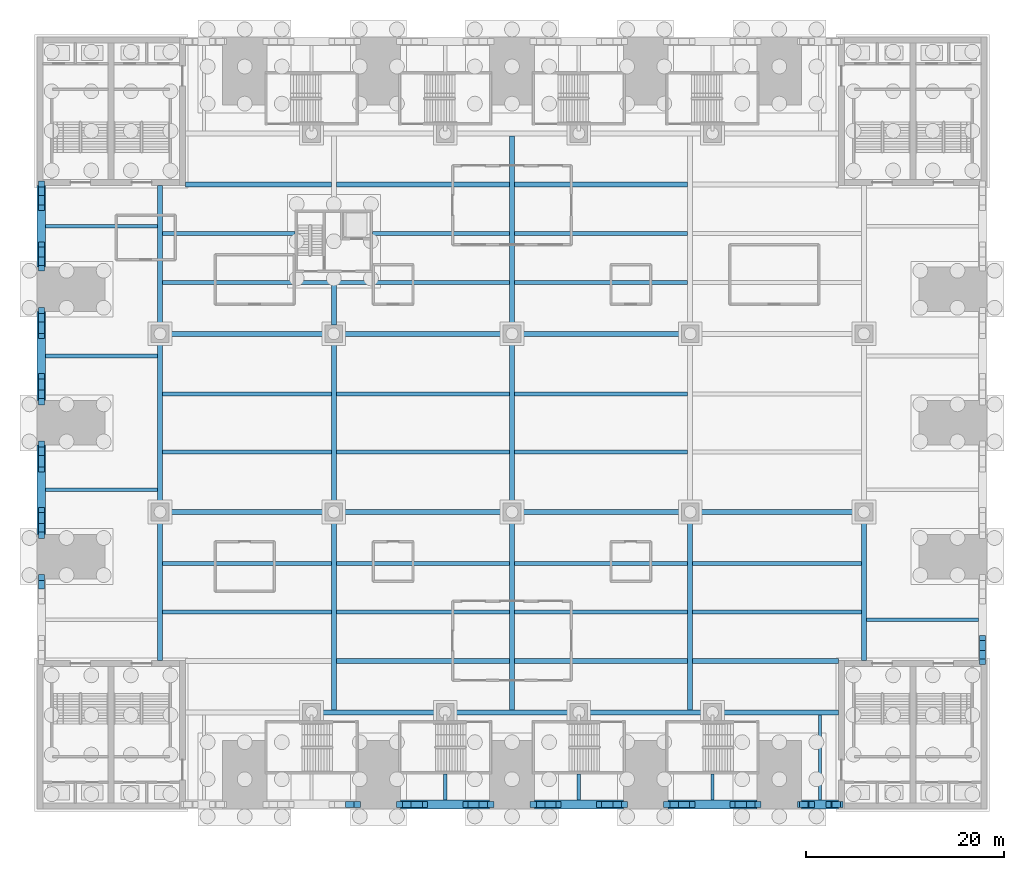
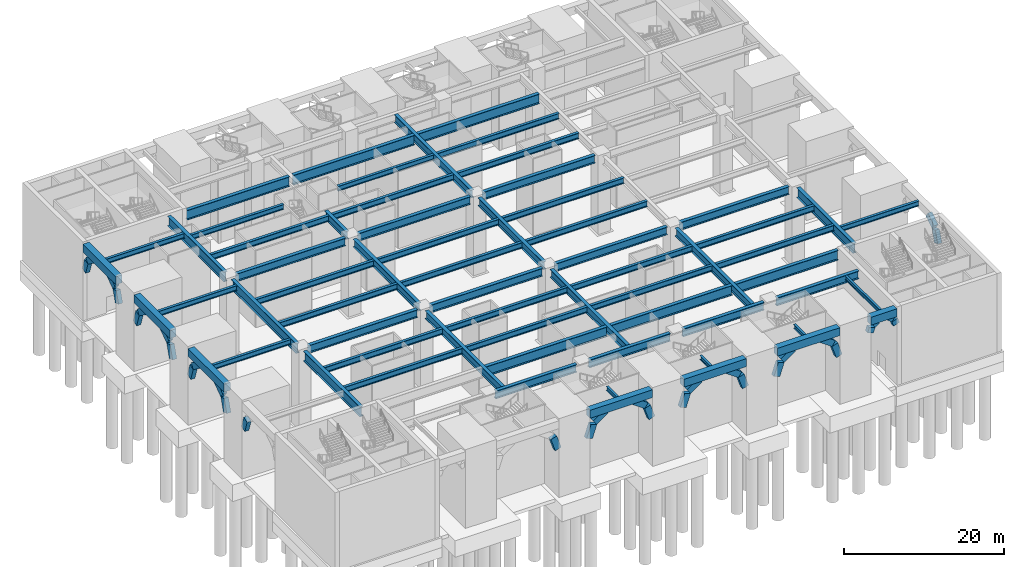
# One storey, part 3 of 34: 63 beams, 32 members.
"""IFC4 building model written with IfcOpenShell, lengths in metres."""

from ifc_helpers import new_model, si_unit, direction, frame, origin, origin_2d, place, context, subcontext, project, spatial, rectangle, i_section, extrude, material, material_profile, profile_set, type_object, element, save


model = new_model("IFC4")

# Units and contexts
model_context = context("Model", 3, precision=1e-05, world=origin(), true_north=direction((0.0, 1.0)))
body_context = subcontext(model_context, "Body", "Model", "MODEL_VIEW")
ifc_project = project(units=[si_unit("LENGTHUNIT", "METRE"), si_unit("AREAUNIT", "SQUARE_METRE"), si_unit("VOLUMEUNIT", "CUBIC_METRE"), si_unit("PLANEANGLEUNIT", "RADIAN"), si_unit("MASSUNIT", "GRAM", prefix="KILO")], contexts=[model_context])

# Site, building, storey
site_placement = place(None, origin())
site = spatial("IfcSite", under=ifc_project, at=site_placement, CompositionType="ELEMENT")
building_placement = place(site_placement, origin())
building = spatial("IfcBuilding", under=site, at=building_placement, Name="Corbelhall Arena Tower", CompositionType="ELEMENT")
storey_placement = place(building_placement, origin())
storey = spatial("IfcBuildingStorey", under=building, at=storey_placement, Name="L00", CompositionType="ELEMENT", Elevation=0.0)

# Beams
ifc_material_1 = material(Name="Steel ASTM A572 Gr50", Category="steel")
ifc_material_profile_1 = material_profile(ifc_material_1, i_section(OverallWidth=0.5, OverallDepth=1.5, WebThickness=0.028076171875, FlangeThickness=0.050048828125, at=origin_2d()))
ifc_profile_set_1 = profile_set([ifc_material_profile_1], Name="Steel ASTM A572 Gr50")
beam_type_1 = type_object("IfcBeamType", Name="AR-TRANSFER-GIRDER", PredefinedType="BEAM", material=ifc_profile_set_1)
beam_1_placement = place(storey_placement, frame((-35.550048828125, -24.0, 10.949951171875), z_axis=(0.0, 1.0, 0.0), x_axis=(-1.0, 0.0, 0.0)))
element("IfcBeam", 1, at=beam_1_placement, inside=storey, type_object=beam_type_1, Name="DECK GIRDER Y", PredefinedType="BEAM", context=body_context, shape_type="SweptSolid", body=[
    extrude(i_section(OverallWidth=0.5, OverallDepth=1.5, WebThickness=0.028076171875, FlangeThickness=0.050048828125, at=origin_2d()), origin(), (0.0, 0.0, 1.0), 14.10009765625),
])
beam_2_placement = place(storey_placement, frame((-35.550048828125, -8.10009765625, 10.949951171875), z_axis=(0.0, 1.0, 0.0), x_axis=(-1.0, 0.0, 0.0)))
element("IfcBeam", 2, at=beam_2_placement, inside=storey, type_object=beam_type_1, Name="DECK GIRDER Y", PredefinedType="BEAM", context=body_context, shape_type="SweptSolid", body=[
    extrude(i_section(OverallWidth=0.5, OverallDepth=1.5, WebThickness=0.028076171875, FlangeThickness=0.050048828125, at=origin_2d()), origin(), (0.0, 0.0, 1.0), 16.2001953125),
])
for number, where, z_axis, x_axis, name in (
    (3, (-35.550048828125, 9.89990234375, 10.949951171875), (0.0, 1.0, 0.0), (-1.0, 0.0, 0.0), "DECK GIRDER Y"),
    (4, (35.550048828125, -24.0, 10.949951171875), (0.0, 1.0, 0.0), (-1.0, 0.0, 0.0), "DECK GIRDER Y"),
):
    element("IfcBeam", number, at=place(storey_placement, frame(where, z_axis=z_axis, x_axis=x_axis)), inside=storey, type_object=beam_type_1, Name=name, PredefinedType="BEAM", context=body_context, shape_type="SweptSolid", body=[
        extrude(i_section(OverallWidth=0.5, OverallDepth=1.5, WebThickness=0.028076171875, FlangeThickness=0.050048828125, at=origin_2d()), origin(), (0.0, 0.0, 1.0), 14.10009765625),
    ])
for number, where, z_axis, x_axis, name in (
    (5, (-17.75, -24.0625, 10.949951171875), (1.0, 0.0, 0.0), (0.0, 1.0, 0.0), "DECK BEAM"),
    (6, (0.25, -24.0625, 10.949951171875), (1.0, 0.0, 0.0), (0.0, 1.0, 0.0), "DECK BEAM"),
):
    element("IfcBeam", number, at=place(storey_placement, frame(where, z_axis=z_axis, x_axis=x_axis)), inside=storey, type_object=beam_type_1, Name=name, PredefinedType="BEAM", context=body_context, shape_type="SweptSolid", body=[
        extrude(i_section(OverallWidth=0.5, OverallDepth=1.5, WebThickness=0.028076171875, FlangeThickness=0.050048828125, at=origin_2d()), origin(), (0.0, 0.0, 1.0), 17.5),
    ])
for number, where, z_axis, x_axis, name in (
    (7, (18.25, -24.0625, 10.949951171875), (1.0, 0.0, 0.0), (0.0, 1.0, 0.0), "DECK BEAM"),
    (8, (-33.0, 24.0625, 10.949951171875), (1.0, 0.0, 0.0), (0.0, 1.0, 0.0), "DECK BEAM"),
):
    element("IfcBeam", number, at=place(storey_placement, frame(where, z_axis=z_axis, x_axis=x_axis)), inside=storey, type_object=beam_type_1, Name=name, PredefinedType="BEAM", context=body_context, shape_type="SweptSolid", body=[
        extrude(i_section(OverallWidth=0.5, OverallDepth=1.5, WebThickness=0.028076171875, FlangeThickness=0.050048828125, at=origin_2d()), origin(), (0.0, 0.0, 1.0), 14.75),
    ])
for number, where, z_axis, x_axis, name in (
    (9, (-17.75, 24.0625, 10.949951171875), (1.0, 0.0, 0.0), (0.0, 1.0, 0.0), "DECK BEAM"),
    (10, (0.25, 24.0625, 10.949951171875), (1.0, 0.0, 0.0), (0.0, 1.0, 0.0), "DECK BEAM"),
):
    element("IfcBeam", number, at=place(storey_placement, frame(where, z_axis=z_axis, x_axis=x_axis)), inside=storey, type_object=beam_type_1, Name=name, PredefinedType="BEAM", context=body_context, shape_type="SweptSolid", body=[
        extrude(i_section(OverallWidth=0.5, OverallDepth=1.5, WebThickness=0.028076171875, FlangeThickness=0.050048828125, at=origin_2d()), origin(), (0.0, 0.0, 1.0), 17.5),
    ])

# Members
ifc_material_2 = material(Name="Concrete C80/95", Category="concrete")
ifc_material_profile_2 = material_profile(ifc_material_2, rectangle(XDim=0.60009765625, YDim=0.89990234375, at=origin_2d()))
ifc_profile_set_2 = profile_set([ifc_material_profile_2], Name="Concrete C80/95")
member_type = type_object("IfcMemberType", Name="PO-ARCH-RIB", PredefinedType="MEMBER", material=ifc_profile_set_2)
for number, where, z_axis, x_axis, name in (
    (11, (-16.386474609375, -38.550048828125, 9.23291015625), (0.313127236353, 0.0, -0.949711184442), (0.0, 1.0, 0.0), "ARCH S2 RIB B1"),
    (12, (-11.25, -38.550048828125, 7.302490234375), (0.313127236353, 0.0, 0.949711184442), (0.0, 1.0, 0.0), "ARCH S3 RIB A1"),
    (13, (-10.44580078125, -38.550048828125, 9.45947265625), (0.816644846193, 0.0, 0.577140533307), (0.0, 1.0, 0.0), "ARCH S3 RIB A2"),
    (14, (-2.886474609375, -38.550048828125, 9.23291015625), (0.313127236353, 0.0, -0.949711184442), (0.0, 1.0, 0.0), "ARCH S3 RIB B1"),
    (15, (-4.714111328125, -38.550048828125, 10.632568359375), (0.816644846193, 0.0, -0.577140533307), (0.0, 1.0, 0.0), "ARCH S3 RIB B2"),
    (16, (2.25, -38.550048828125, 7.302490234375), (0.313127236353, 0.0, 0.949711184442), (0.0, 1.0, 0.0), "ARCH S4 RIB A1"),
    (17, (3.05419921875, -38.550048828125, 9.45947265625), (0.816644846193, 0.0, 0.577140533307), (0.0, 1.0, 0.0), "ARCH S4 RIB A2"),
    (18, (10.613525390625, -38.550048828125, 9.23291015625), (0.313127236353, 0.0, -0.949711184442), (0.0, 1.0, 0.0), "ARCH S4 RIB B1"),
    (19, (8.785888671875, -38.550048828125, 10.632568359375), (0.816644846193, 0.0, -0.577140533307), (0.0, 1.0, 0.0), "ARCH S4 RIB B2"),
    (20, (15.75, -38.550048828125, 7.302490234375), (0.313127236353, 0.0, 0.949711184442), (0.0, 1.0, 0.0), "ARCH S5 RIB A1"),
    (21, (16.55419921875, -38.550048828125, 9.45947265625), (0.816644846193, 0.0, 0.577140533307), (0.0, 1.0, 0.0), "ARCH S5 RIB A2"),
    (22, (24.113525390625, -38.550048828125, 9.23291015625), (0.313127236353, 0.0, -0.949711184442), (0.0, 1.0, 0.0), "ARCH S5 RIB B1"),
    (23, (22.285888671875, -38.550048828125, 10.632568359375), (0.816644846193, 0.0, -0.577140533307), (0.0, 1.0, 0.0), "ARCH S5 RIB B2"),
):
    element("IfcMember", number, at=place(storey_placement, frame(where, z_axis=z_axis, x_axis=x_axis)), inside=storey, type_object=member_type, Name=name, PredefinedType="MEMBER", context=body_context, shape_type="SweptSolid", body=[
        extrude(rectangle(XDim=0.60009765625, YDim=0.89990234375, at=origin_2d()), origin(), (0.0, 0.0, 1.0), 2.03271484375),
    ])
member_1_placement = place(storey_placement, frame((29.25, -38.550048828125, 9.2451171875), z_axis=(0.313142843289, 0.0, 0.94970603857), x_axis=(0.0, 1.0, 0.0)))
element("IfcMember", 24, at=member_1_placement, inside=storey, type_object=member_type, Name="ARCH S6 RIB A1", PredefinedType="MEMBER", context=body_context, shape_type="SweptSolid", body=[
    extrude(rectangle(XDim=0.60009765625, YDim=0.89990234375, at=origin_2d()), origin(), (0.0, 0.0, 1.0), 0.76025390625),
])
member_2_placement = place(storey_placement, frame((29.65576171875, -38.550048828125, 10.193603515625), z_axis=(0.816629669741, 0.0, 0.577162007152), x_axis=(0.0, 1.0, 0.0)))
element("IfcMember", 25, at=member_2_placement, inside=storey, type_object=member_type, Name="ARCH S6 RIB A2", PredefinedType="MEMBER", context=body_context, shape_type="SweptSolid", body=[
    extrude(rectangle(XDim=0.60009765625, YDim=0.89990234375, at=origin_2d()), origin(), (0.0, 0.0, 1.0), 0.760498046875),
])
member_3_placement = place(storey_placement, frame((32.761962890625, -38.550048828125, 9.967041015625), z_axis=(0.313142843289, 0.0, -0.94970603857), x_axis=(0.0, 1.0, 0.0)))
element("IfcMember", 26, at=member_3_placement, inside=storey, type_object=member_type, Name="ARCH S6 RIB B1", PredefinedType="MEMBER", context=body_context, shape_type="SweptSolid", body=[
    extrude(rectangle(XDim=0.60009765625, YDim=0.89990234375, at=origin_2d()), origin(), (0.0, 0.0, 1.0), 0.76025390625),
])
member_4_placement = place(storey_placement, frame((31.97314453125, -38.550048828125, 10.632568359375), z_axis=(0.816629669741, 0.0, -0.577162007152), x_axis=(0.0, 1.0, 0.0)))
element("IfcMember", 27, at=member_4_placement, inside=storey, type_object=member_type, Name="ARCH S6 RIB B2", PredefinedType="MEMBER", context=body_context, shape_type="SweptSolid", body=[
    extrude(rectangle(XDim=0.60009765625, YDim=0.89990234375, at=origin_2d()), origin(), (0.0, 0.0, 1.0), 0.760498046875),
])
member_5_placement = place(storey_placement, frame((47.550048828125, -24.0, 7.580078125), z_axis=(0.0, 0.313178775789, 0.949694189935), x_axis=(-1.0, 0.0, 0.0)))
element("IfcMember", 28, at=member_5_placement, inside=storey, type_object=member_type, Name="ARCH E1 RIB A1", PredefinedType="MEMBER", context=body_context, shape_type="SweptSolid", body=[
    extrude(rectangle(XDim=0.60009765625, YDim=0.89990234375, at=origin_2d()), origin(), (0.0, 0.0, 1.0), 1.8505859375),
])
member_6_placement = place(storey_placement, frame((47.550048828125, -23.252685546875, 9.564453125), z_axis=(0.0, 0.81666432318, 0.577112972688), x_axis=(-1.0, 0.0, 0.0)))
element("IfcMember", 29, at=member_6_placement, inside=storey, type_object=member_type, Name="ARCH E1 RIB A2", PredefinedType="MEMBER", context=body_context, shape_type="SweptSolid", body=[
    extrude(rectangle(XDim=0.60009765625, YDim=0.89990234375, at=origin_2d()), origin(), (0.0, 0.0, 1.0), 1.850830078125),
])
member_7_placement = place(storey_placement, frame((-47.550048828125, -16.32958984375, 9.337646484375), z_axis=(0.0, 0.313178775789, -0.949694189935), x_axis=(-1.0, 0.0, 0.0)))
element("IfcMember", 30, at=member_7_placement, inside=storey, type_object=member_type, Name="ARCH W1 RIB B1", PredefinedType="MEMBER", context=body_context, shape_type="SweptSolid", body=[
    extrude(rectangle(XDim=0.60009765625, YDim=0.89990234375, at=origin_2d()), origin(), (0.0, 0.0, 1.0), 1.8505859375),
])
for number, where, z_axis, x_axis, name in (
    (31, (-47.550048828125, -11.25, 7.302490234375), (0.0, 0.313127236353, 0.949711184442), (-1.0, 0.0, 0.0), "ARCH W2 RIB A1"),
    (32, (-47.550048828125, -10.44580078125, 9.45947265625), (0.0, 0.816644846193, 0.577140533307), (-1.0, 0.0, 0.0), "ARCH W2 RIB A2"),
    (33, (-47.550048828125, -2.886474609375, 9.23291015625), (0.0, 0.313127236353, -0.949711184442), (-1.0, 0.0, 0.0), "ARCH W2 RIB B1"),
    (34, (-47.550048828125, -4.714111328125, 10.632568359375), (0.0, 0.816644846193, -0.577140533307), (-1.0, 0.0, 0.0), "ARCH W2 RIB B2"),
    (35, (-47.550048828125, 2.25, 7.302490234375), (0.0, 0.313127236353, 0.949711184442), (-1.0, 0.0, 0.0), "ARCH W3 RIB A1"),
    (36, (-47.550048828125, 3.05419921875, 9.45947265625), (0.0, 0.816644846193, 0.577140533307), (-1.0, 0.0, 0.0), "ARCH W3 RIB A2"),
    (37, (-47.550048828125, 10.613525390625, 9.23291015625), (0.0, 0.313127236353, -0.949711184442), (-1.0, 0.0, 0.0), "ARCH W3 RIB B1"),
    (38, (-47.550048828125, 8.785888671875, 10.632568359375), (0.0, 0.816644846193, -0.577140533307), (-1.0, 0.0, 0.0), "ARCH W3 RIB B2"),
):
    element("IfcMember", number, at=place(storey_placement, frame(where, z_axis=z_axis, x_axis=x_axis)), inside=storey, type_object=member_type, Name=name, PredefinedType="MEMBER", context=body_context, shape_type="SweptSolid", body=[
        extrude(rectangle(XDim=0.60009765625, YDim=0.89990234375, at=origin_2d()), origin(), (0.0, 0.0, 1.0), 2.03271484375),
    ])
member_8_placement = place(storey_placement, frame((-47.550048828125, 15.75, 7.580078125), z_axis=(0.0, 0.313178775789, 0.949694189935), x_axis=(-1.0, 0.0, 0.0)))
element("IfcMember", 39, at=member_8_placement, inside=storey, type_object=member_type, Name="ARCH W4 RIB A1", PredefinedType="MEMBER", context=body_context, shape_type="SweptSolid", body=[
    extrude(rectangle(XDim=0.60009765625, YDim=0.89990234375, at=origin_2d()), origin(), (0.0, 0.0, 1.0), 1.8505859375),
])
member_9_placement = place(storey_placement, frame((-47.550048828125, 16.497314453125, 9.564453125), z_axis=(0.0, 0.81666432318, 0.577112972688), x_axis=(-1.0, 0.0, 0.0)))
element("IfcMember", 40, at=member_9_placement, inside=storey, type_object=member_type, Name="ARCH W4 RIB A2", PredefinedType="MEMBER", context=body_context, shape_type="SweptSolid", body=[
    extrude(rectangle(XDim=0.60009765625, YDim=0.89990234375, at=origin_2d()), origin(), (0.0, 0.0, 1.0), 1.850830078125),
])
member_10_placement = place(storey_placement, frame((-47.550048828125, 23.42041015625, 9.337646484375), z_axis=(0.0, 0.313178775789, -0.949694189935), x_axis=(-1.0, 0.0, 0.0)))
element("IfcMember", 41, at=member_10_placement, inside=storey, type_object=member_type, Name="ARCH W4 RIB B1", PredefinedType="MEMBER", context=body_context, shape_type="SweptSolid", body=[
    extrude(rectangle(XDim=0.60009765625, YDim=0.89990234375, at=origin_2d()), origin(), (0.0, 0.0, 1.0), 1.8505859375),
])
member_11_placement = place(storey_placement, frame((-47.550048828125, 21.7412109375, 10.632568359375), z_axis=(0.0, 0.81666432318, -0.577112972688), x_axis=(-1.0, 0.0, 0.0)))
element("IfcMember", 42, at=member_11_placement, inside=storey, type_object=member_type, Name="ARCH W4 RIB B2", PredefinedType="MEMBER", context=body_context, shape_type="SweptSolid", body=[
    extrude(rectangle(XDim=0.60009765625, YDim=0.89990234375, at=origin_2d()), origin(), (0.0, 0.0, 1.0), 1.850830078125),
])

# Beams
ifc_material_3 = material(Name="Steel ASTM A992 Gr50", Category="steel")
ifc_material_profile_3 = material_profile(ifc_material_3, i_section(OverallWidth=0.323974609375, OverallDepth=0.611083984375, WebThickness=0.0126953125, FlangeThickness=0.01904296875, at=origin_2d()))
ifc_profile_set_3 = profile_set([ifc_material_profile_3], Name="Steel ASTM A992 Gr50")
beam_type_2 = type_object("IfcBeamType", Name="PO-BEAM-W24X104", PredefinedType="BEAM", material=ifc_profile_set_3)
for number, where, z_axis, x_axis, name in (
    (43, (-6.75, -35.449951171875, 11.39453125), (0.0, -1.0, 0.0), (1.0, 0.0, 0.0), "DECK EDGE BEAM"),
    (44, (6.75, -35.449951171875, 11.39453125), (0.0, -1.0, 0.0), (1.0, 0.0, 0.0), "DECK EDGE BEAM"),
    (45, (20.25, -35.449951171875, 11.39453125), (0.0, -1.0, 0.0), (1.0, 0.0, 0.0), "DECK EDGE BEAM"),
):
    element("IfcBeam", number, at=place(storey_placement, frame(where, z_axis=z_axis, x_axis=x_axis)), inside=storey, type_object=beam_type_2, Name=name, PredefinedType="BEAM", context=body_context, shape_type="SweptSolid", body=[
        extrude(i_section(OverallWidth=0.323974609375, OverallDepth=0.611083984375, WebThickness=0.0126953125, FlangeThickness=0.01904296875, at=origin_2d()), origin(), (0.0, 0.0, 1.0), 2.650146484375),
    ])
beam_3_placement = place(storey_placement, frame((31.125, -29.5, 11.39453125), z_axis=(0.0, -1.0, 0.0), x_axis=(1.0, 0.0, 0.0)))
element("IfcBeam", 46, at=beam_3_placement, inside=storey, type_object=beam_type_2, Name="DECK EDGE BEAM", PredefinedType="BEAM", context=body_context, shape_type="SweptSolid", body=[
    extrude(i_section(OverallWidth=0.323974609375, OverallDepth=0.611083984375, WebThickness=0.0126953125, FlangeThickness=0.01904296875, at=origin_2d()), origin(), (0.0, 0.0, 1.0), 8.60009765625),
])
ifc_material_profile_4 = material_profile(ifc_material_3, i_section(OverallWidth=0.381103515625, OverallDepth=0.77294921875, WebThickness=0.0166015625, FlangeThickness=0.027099609375, at=origin_2d()))
ifc_profile_set_4 = profile_set([ifc_material_profile_4], Name="Steel ASTM A992 Gr50")
beam_type_3 = type_object("IfcBeamType", Name="PO-BEAM-W30X173", PredefinedType="BEAM", material=ifc_profile_set_4)
beam_4_placement = place(storey_placement, frame((-35.300048828125, 19.125, 11.3134765625), z_axis=(1.0, 0.0, 0.0), x_axis=(0.0, 1.0, 0.0)))
element("IfcBeam", 47, at=beam_4_placement, inside=storey, type_object=beam_type_3, Name="DECK BEAM", PredefinedType="BEAM", context=body_context, shape_type="SweptSolid", body=[
    extrude(i_section(OverallWidth=0.381103515625, OverallDepth=0.77294921875, WebThickness=0.0166015625, FlangeThickness=0.027099609375, at=origin_2d()), origin(), (0.0, 0.0, 1.0), 13.400146484375),
])
beam_5_placement = place(storey_placement, frame((-14.10009765625, 19.125, 11.3134765625), z_axis=(1.0, 0.0, 0.0), x_axis=(0.0, 1.0, 0.0)))
element("IfcBeam", 48, at=beam_5_placement, inside=storey, type_object=beam_type_3, Name="DECK BEAM", PredefinedType="BEAM", context=body_context, shape_type="SweptSolid", body=[
    extrude(i_section(OverallWidth=0.381103515625, OverallDepth=0.77294921875, WebThickness=0.0166015625, FlangeThickness=0.027099609375, at=origin_2d()), origin(), (0.0, 0.0, 1.0), 13.85009765625),
])
for number, where, z_axis, x_axis, name in (
    (49, (35.800048828125, -19.875, 11.3134765625), (1.0, 0.0, 0.0), (0.0, 1.0, 0.0), "DECK EDGE BEAM"),
    (50, (-35.800048828125, -6.75, 11.3134765625), (-1.0, 0.0, 0.0), (0.0, -1.0, 0.0), "DECK EDGE BEAM"),
    (51, (-35.800048828125, 6.75, 11.3134765625), (-1.0, 0.0, 0.0), (0.0, -1.0, 0.0), "DECK EDGE BEAM"),
    (52, (-35.800048828125, 19.875, 11.3134765625), (-1.0, 0.0, 0.0), (0.0, -1.0, 0.0), "DECK EDGE BEAM"),
):
    element("IfcBeam", number, at=place(storey_placement, frame(where, z_axis=z_axis, x_axis=x_axis)), inside=storey, type_object=beam_type_3, Name=name, PredefinedType="BEAM", context=body_context, shape_type="SweptSolid", body=[
        extrude(i_section(OverallWidth=0.381103515625, OverallDepth=0.77294921875, WebThickness=0.0166015625, FlangeThickness=0.027099609375, at=origin_2d()), origin(), (0.0, 0.0, 1.0), 11.300048828125),
    ])
ifc_material_profile_5 = material_profile(ifc_material_3, i_section(OverallWidth=0.40087890625, OverallDepth=0.876953125, WebThickness=0.022216796875, FlangeThickness=0.039794921875, at=origin_2d()))
ifc_profile_set_5 = profile_set([ifc_material_profile_5], Name="Steel ASTM A992 Gr50")
beam_type_4 = type_object("IfcBeamType", Name="PO-BEAM-W33X263", PredefinedType="BEAM", material=ifc_profile_set_5)
beam_6_placement = place(storey_placement, frame((-35.300048828125, -19.125, 11.261474609375), z_axis=(1.0, 0.0, 0.0), x_axis=(0.0, 1.0, 0.0)))
element("IfcBeam", 53, at=beam_6_placement, inside=storey, type_object=beam_type_4, Name="DECK BEAM", PredefinedType="BEAM", context=body_context, shape_type="SweptSolid", body=[
    extrude(i_section(OverallWidth=0.40087890625, OverallDepth=0.876953125, WebThickness=0.022216796875, FlangeThickness=0.039794921875, at=origin_2d()), origin(), (0.0, 0.0, 1.0), 17.050048828125),
])
for number, where, z_axis, x_axis, name in (
    (54, (-17.75, -19.125, 11.261474609375), (1.0, 0.0, 0.0), (0.0, 1.0, 0.0), "DECK BEAM"),
    (55, (0.25, -19.125, 11.261474609375), (1.0, 0.0, 0.0), (0.0, 1.0, 0.0), "DECK BEAM"),
):
    element("IfcBeam", number, at=place(storey_placement, frame(where, z_axis=z_axis, x_axis=x_axis)), inside=storey, type_object=beam_type_4, Name=name, PredefinedType="BEAM", context=body_context, shape_type="SweptSolid", body=[
        extrude(i_section(OverallWidth=0.40087890625, OverallDepth=0.876953125, WebThickness=0.022216796875, FlangeThickness=0.039794921875, at=origin_2d()), origin(), (0.0, 0.0, 1.0), 17.5),
    ])
for number, where, z_axis, x_axis, name in (
    (56, (18.25, -19.125, 11.261474609375), (1.0, 0.0, 0.0), (0.0, 1.0, 0.0), "DECK BEAM"),
    (57, (-35.300048828125, -14.1875, 11.261474609375), (1.0, 0.0, 0.0), (0.0, 1.0, 0.0), "DECK BEAM"),
):
    element("IfcBeam", number, at=place(storey_placement, frame(where, z_axis=z_axis, x_axis=x_axis)), inside=storey, type_object=beam_type_4, Name=name, PredefinedType="BEAM", context=body_context, shape_type="SweptSolid", body=[
        extrude(i_section(OverallWidth=0.40087890625, OverallDepth=0.876953125, WebThickness=0.022216796875, FlangeThickness=0.039794921875, at=origin_2d()), origin(), (0.0, 0.0, 1.0), 17.050048828125),
    ])
for number, where, z_axis, x_axis, name in (
    (58, (-17.75, -14.1875, 11.261474609375), (1.0, 0.0, 0.0), (0.0, 1.0, 0.0), "DECK BEAM"),
    (59, (0.25, -14.1875, 11.261474609375), (1.0, 0.0, 0.0), (0.0, 1.0, 0.0), "DECK BEAM"),
):
    element("IfcBeam", number, at=place(storey_placement, frame(where, z_axis=z_axis, x_axis=x_axis)), inside=storey, type_object=beam_type_4, Name=name, PredefinedType="BEAM", context=body_context, shape_type="SweptSolid", body=[
        extrude(i_section(OverallWidth=0.40087890625, OverallDepth=0.876953125, WebThickness=0.022216796875, FlangeThickness=0.039794921875, at=origin_2d()), origin(), (0.0, 0.0, 1.0), 17.5),
    ])
for number, where, z_axis, x_axis, name in (
    (60, (18.25, -14.1875, 11.261474609375), (1.0, 0.0, 0.0), (0.0, 1.0, 0.0), "DECK BEAM"),
    (61, (-35.300048828125, -2.916748046875, 11.261474609375), (1.0, 0.0, 0.0), (0.0, 1.0, 0.0), "DECK BEAM"),
):
    element("IfcBeam", number, at=place(storey_placement, frame(where, z_axis=z_axis, x_axis=x_axis)), inside=storey, type_object=beam_type_4, Name=name, PredefinedType="BEAM", context=body_context, shape_type="SweptSolid", body=[
        extrude(i_section(OverallWidth=0.40087890625, OverallDepth=0.876953125, WebThickness=0.022216796875, FlangeThickness=0.039794921875, at=origin_2d()), origin(), (0.0, 0.0, 1.0), 17.050048828125),
    ])
for number, where, z_axis, x_axis, name in (
    (62, (-17.75, -2.916748046875, 11.261474609375), (1.0, 0.0, 0.0), (0.0, 1.0, 0.0), "DECK BEAM"),
    (63, (0.25, -2.916748046875, 11.261474609375), (1.0, 0.0, 0.0), (0.0, 1.0, 0.0), "DECK BEAM"),
):
    element("IfcBeam", number, at=place(storey_placement, frame(where, z_axis=z_axis, x_axis=x_axis)), inside=storey, type_object=beam_type_4, Name=name, PredefinedType="BEAM", context=body_context, shape_type="SweptSolid", body=[
        extrude(i_section(OverallWidth=0.40087890625, OverallDepth=0.876953125, WebThickness=0.022216796875, FlangeThickness=0.039794921875, at=origin_2d()), origin(), (0.0, 0.0, 1.0), 17.5),
    ])
beam_7_placement = place(storey_placement, frame((-35.300048828125, 2.916748046875, 11.261474609375), z_axis=(1.0, 0.0, 0.0), x_axis=(0.0, 1.0, 0.0)))
element("IfcBeam", 64, at=beam_7_placement, inside=storey, type_object=beam_type_4, Name="DECK BEAM", PredefinedType="BEAM", context=body_context, shape_type="SweptSolid", body=[
    extrude(i_section(OverallWidth=0.40087890625, OverallDepth=0.876953125, WebThickness=0.022216796875, FlangeThickness=0.039794921875, at=origin_2d()), origin(), (0.0, 0.0, 1.0), 17.050048828125),
])
for number, where, z_axis, x_axis, name in (
    (65, (-17.75, 2.916748046875, 11.261474609375), (1.0, 0.0, 0.0), (0.0, 1.0, 0.0), "DECK BEAM"),
    (66, (0.25, 2.916748046875, 11.261474609375), (1.0, 0.0, 0.0), (0.0, 1.0, 0.0), "DECK BEAM"),
):
    element("IfcBeam", number, at=place(storey_placement, frame(where, z_axis=z_axis, x_axis=x_axis)), inside=storey, type_object=beam_type_4, Name=name, PredefinedType="BEAM", context=body_context, shape_type="SweptSolid", body=[
        extrude(i_section(OverallWidth=0.40087890625, OverallDepth=0.876953125, WebThickness=0.022216796875, FlangeThickness=0.039794921875, at=origin_2d()), origin(), (0.0, 0.0, 1.0), 17.5),
    ])
beam_8_placement = place(storey_placement, frame((-35.300048828125, 14.1875, 11.261474609375), z_axis=(1.0, 0.0, 0.0), x_axis=(0.0, 1.0, 0.0)))
element("IfcBeam", 67, at=beam_8_placement, inside=storey, type_object=beam_type_4, Name="DECK BEAM", PredefinedType="BEAM", context=body_context, shape_type="SweptSolid", body=[
    extrude(i_section(OverallWidth=0.40087890625, OverallDepth=0.876953125, WebThickness=0.022216796875, FlangeThickness=0.039794921875, at=origin_2d()), origin(), (0.0, 0.0, 1.0), 17.050048828125),
])
for number, where, z_axis, x_axis, name in (
    (68, (-17.75, 14.1875, 11.261474609375), (1.0, 0.0, 0.0), (0.0, 1.0, 0.0), "DECK BEAM"),
    (69, (0.25, 14.1875, 11.261474609375), (1.0, 0.0, 0.0), (0.0, 1.0, 0.0), "DECK BEAM"),
    (70, (0.25, 19.125, 11.261474609375), (1.0, 0.0, 0.0), (0.0, 1.0, 0.0), "DECK BEAM"),
):
    element("IfcBeam", number, at=place(storey_placement, frame(where, z_axis=z_axis, x_axis=x_axis)), inside=storey, type_object=beam_type_4, Name=name, PredefinedType="BEAM", context=body_context, shape_type="SweptSolid", body=[
        extrude(i_section(OverallWidth=0.40087890625, OverallDepth=0.876953125, WebThickness=0.022216796875, FlangeThickness=0.039794921875, at=origin_2d()), origin(), (0.0, 0.0, 1.0), 17.5),
    ])
ifc_material_profile_6 = material_profile(ifc_material_1, i_section(OverallWidth=0.5, OverallDepth=1.199951171875, WebThickness=0.02490234375, FlangeThickness=0.044921875, at=origin_2d()))
ifc_profile_set_6 = profile_set([ifc_material_profile_6], Name="Steel ASTM A572 Gr50")
beam_type_5 = type_object("IfcBeamType", Name="PO-GIRDER-PG1200X500X25X45", PredefinedType="BEAM", material=ifc_profile_set_6)
for number, where, z_axis, x_axis, name in (
    (71, (-19.35009765625, -29.25, 11.10009765625), (1.0, 0.0, 0.0), (0.0, 1.0, 0.0), "DECK GIRDER X"),
    (72, (-5.85009765625, -29.25, 11.10009765625), (1.0, 0.0, 0.0), (0.0, 1.0, 0.0), "DECK GIRDER X"),
    (73, (7.64990234375, -29.25, 11.10009765625), (1.0, 0.0, 0.0), (0.0, 1.0, 0.0), "DECK GIRDER X"),
):
    element("IfcBeam", number, at=place(storey_placement, frame(where, z_axis=z_axis, x_axis=x_axis)), inside=storey, type_object=beam_type_5, Name=name, PredefinedType="BEAM", context=body_context, shape_type="SweptSolid", body=[
        extrude(i_section(OverallWidth=0.5, OverallDepth=1.199951171875, WebThickness=0.02490234375, FlangeThickness=0.044921875, at=origin_2d()), origin(), (0.0, 0.0, 1.0), 11.7001953125),
    ])
beam_9_placement = place(storey_placement, frame((21.14990234375, -29.25, 11.10009765625), z_axis=(1.0, 0.0, 0.0), x_axis=(0.0, 1.0, 0.0)))
element("IfcBeam", 74, at=beam_9_placement, inside=storey, type_object=beam_type_5, Name="DECK GIRDER X", PredefinedType="BEAM", context=body_context, shape_type="SweptSolid", body=[
    extrude(i_section(OverallWidth=0.5, OverallDepth=1.199951171875, WebThickness=0.02490234375, FlangeThickness=0.044921875, at=origin_2d()), origin(), (0.0, 0.0, 1.0), 11.85009765625),
])
beam_10_placement = place(storey_placement, frame((-34.64990234375, -9.0, 11.10009765625), z_axis=(1.0, 0.0, 0.0), x_axis=(0.0, 1.0, 0.0)))
element("IfcBeam", 75, at=beam_10_placement, inside=storey, type_object=beam_type_5, Name="DECK GIRDER X", PredefinedType="BEAM", context=body_context, shape_type="SweptSolid", body=[
    extrude(i_section(OverallWidth=0.5, OverallDepth=1.199951171875, WebThickness=0.02490234375, FlangeThickness=0.044921875, at=origin_2d()), origin(), (0.0, 0.0, 1.0), 15.75),
])
for number, where, z_axis, x_axis, name in (
    (76, (-17.10009765625, -9.0, 11.10009765625), (1.0, 0.0, 0.0), (0.0, 1.0, 0.0), "DECK GIRDER X"),
    (77, (0.89990234375, -9.0, 11.10009765625), (1.0, 0.0, 0.0), (0.0, 1.0, 0.0), "DECK GIRDER X"),
):
    element("IfcBeam", number, at=place(storey_placement, frame(where, z_axis=z_axis, x_axis=x_axis)), inside=storey, type_object=beam_type_5, Name=name, PredefinedType="BEAM", context=body_context, shape_type="SweptSolid", body=[
        extrude(i_section(OverallWidth=0.5, OverallDepth=1.199951171875, WebThickness=0.02490234375, FlangeThickness=0.044921875, at=origin_2d()), origin(), (0.0, 0.0, 1.0), 16.2001953125),
    ])
for number, where, z_axis, x_axis, name in (
    (78, (18.89990234375, -9.0, 11.10009765625), (1.0, 0.0, 0.0), (0.0, 1.0, 0.0), "DECK GIRDER X"),
    (79, (-34.64990234375, 9.0, 11.10009765625), (1.0, 0.0, 0.0), (0.0, 1.0, 0.0), "DECK GIRDER X"),
):
    element("IfcBeam", number, at=place(storey_placement, frame(where, z_axis=z_axis, x_axis=x_axis)), inside=storey, type_object=beam_type_5, Name=name, PredefinedType="BEAM", context=body_context, shape_type="SweptSolid", body=[
        extrude(i_section(OverallWidth=0.5, OverallDepth=1.199951171875, WebThickness=0.02490234375, FlangeThickness=0.044921875, at=origin_2d()), origin(), (0.0, 0.0, 1.0), 15.75),
    ])
for number, where, z_axis, x_axis, name in (
    (80, (-17.10009765625, 9.0, 11.10009765625), (1.0, 0.0, 0.0), (0.0, 1.0, 0.0), "DECK GIRDER X"),
    (81, (0.89990234375, 9.0, 11.10009765625), (1.0, 0.0, 0.0), (0.0, 1.0, 0.0), "DECK GIRDER X"),
):
    element("IfcBeam", number, at=place(storey_placement, frame(where, z_axis=z_axis, x_axis=x_axis)), inside=storey, type_object=beam_type_5, Name=name, PredefinedType="BEAM", context=body_context, shape_type="SweptSolid", body=[
        extrude(i_section(OverallWidth=0.5, OverallDepth=1.199951171875, WebThickness=0.02490234375, FlangeThickness=0.044921875, at=origin_2d()), origin(), (0.0, 0.0, 1.0), 16.2001953125),
    ])
beam_11_placement = place(storey_placement, frame((-18.0, -29.0, 11.10009765625), z_axis=(0.0, 1.0, 0.0), x_axis=(-1.0, 0.0, 0.0)))
element("IfcBeam", 82, at=beam_11_placement, inside=storey, type_object=beam_type_5, Name="DECK GIRDER Y", PredefinedType="BEAM", context=body_context, shape_type="SweptSolid", body=[
    extrude(i_section(OverallWidth=0.5, OverallDepth=1.199951171875, WebThickness=0.02490234375, FlangeThickness=0.044921875, at=origin_2d()), origin(), (0.0, 0.0, 1.0), 19.10009765625),
])
beam_12_placement = place(storey_placement, frame((-18.0, -8.10009765625, 11.10009765625), z_axis=(0.0, 1.0, 0.0), x_axis=(-1.0, 0.0, 0.0)))
element("IfcBeam", 83, at=beam_12_placement, inside=storey, type_object=beam_type_5, Name="DECK GIRDER Y", PredefinedType="BEAM", context=body_context, shape_type="SweptSolid", body=[
    extrude(i_section(OverallWidth=0.5, OverallDepth=1.199951171875, WebThickness=0.02490234375, FlangeThickness=0.044921875, at=origin_2d()), origin(), (0.0, 0.0, 1.0), 16.2001953125),
])
beam_13_placement = place(storey_placement, frame((-18.0, 9.89990234375, 11.10009765625), z_axis=(0.0, 1.0, 0.0), x_axis=(-1.0, 0.0, 0.0)))
element("IfcBeam", 84, at=beam_13_placement, inside=storey, type_object=beam_type_5, Name="DECK GIRDER Y", PredefinedType="BEAM", context=body_context, shape_type="SweptSolid", body=[
    extrude(i_section(OverallWidth=0.5, OverallDepth=1.199951171875, WebThickness=0.02490234375, FlangeThickness=0.044921875, at=origin_2d()), origin(), (0.0, 0.0, 1.0), 5.300048828125),
])
beam_14_placement = place(storey_placement, frame((0.0, -29.0, 11.10009765625), z_axis=(0.0, 1.0, 0.0), x_axis=(-1.0, 0.0, 0.0)))
element("IfcBeam", 85, at=beam_14_placement, inside=storey, type_object=beam_type_5, Name="DECK GIRDER Y", PredefinedType="BEAM", context=body_context, shape_type="SweptSolid", body=[
    extrude(i_section(OverallWidth=0.5, OverallDepth=1.199951171875, WebThickness=0.02490234375, FlangeThickness=0.044921875, at=origin_2d()), origin(), (0.0, 0.0, 1.0), 19.10009765625),
])
beam_15_placement = place(storey_placement, frame((0.0, -8.10009765625, 11.10009765625), z_axis=(0.0, 1.0, 0.0), x_axis=(-1.0, 0.0, 0.0)))
element("IfcBeam", 86, at=beam_15_placement, inside=storey, type_object=beam_type_5, Name="DECK GIRDER Y", PredefinedType="BEAM", context=body_context, shape_type="SweptSolid", body=[
    extrude(i_section(OverallWidth=0.5, OverallDepth=1.199951171875, WebThickness=0.02490234375, FlangeThickness=0.044921875, at=origin_2d()), origin(), (0.0, 0.0, 1.0), 16.2001953125),
])
for number, where, z_axis, x_axis, name in (
    (87, (0.0, 9.89990234375, 11.10009765625), (0.0, 1.0, 0.0), (-1.0, 0.0, 0.0), "DECK GIRDER Y"),
    (88, (18.0, -29.0, 11.10009765625), (0.0, 1.0, 0.0), (-1.0, 0.0, 0.0), "DECK GIRDER Y"),
):
    element("IfcBeam", number, at=place(storey_placement, frame(where, z_axis=z_axis, x_axis=x_axis)), inside=storey, type_object=beam_type_5, Name=name, PredefinedType="BEAM", context=body_context, shape_type="SweptSolid", body=[
        extrude(i_section(OverallWidth=0.5, OverallDepth=1.199951171875, WebThickness=0.02490234375, FlangeThickness=0.044921875, at=origin_2d()), origin(), (0.0, 0.0, 1.0), 19.10009765625),
    ])
ifc_material_profile_7 = material_profile(ifc_material_2, rectangle(XDim=0.89990234375, YDim=1.199951171875, at=origin_2d()))
ifc_profile_set_7 = profile_set([ifc_material_profile_7], Name="Concrete C80/95")
beam_type_6 = type_object("IfcBeamType", Name="PO-RING-BEAM", PredefinedType="BEAM", material=ifc_profile_set_7)
for number, where, z_axis, x_axis, name in (
    (89, (-11.25, -38.550048828125, 11.10009765625), (1.0, 0.0, 0.0), (0.0, 1.0, 0.0), "RING GIRDER L01 S3"),
    (90, (2.25, -38.550048828125, 11.10009765625), (1.0, 0.0, 0.0), (0.0, 1.0, 0.0), "RING GIRDER L01 S4"),
    (91, (15.75, -38.550048828125, 11.10009765625), (1.0, 0.0, 0.0), (0.0, 1.0, 0.0), "RING GIRDER L01 S5"),
):
    element("IfcBeam", number, at=place(storey_placement, frame(where, z_axis=z_axis, x_axis=x_axis)), inside=storey, type_object=beam_type_6, Name=name, PredefinedType="BEAM", context=body_context, shape_type="SweptSolid", body=[
        extrude(rectangle(XDim=0.89990234375, YDim=1.199951171875, at=origin_2d()), origin(), (0.0, 0.0, 1.0), 9.0),
    ])
beam_16_placement = place(storey_placement, frame((29.25, -38.550048828125, 11.10009765625), z_axis=(1.0, 0.0, 0.0), x_axis=(0.0, 1.0, 0.0)))
element("IfcBeam", 92, at=beam_16_placement, inside=storey, type_object=beam_type_6, Name="RING GIRDER L01 S6", PredefinedType="BEAM", context=body_context, shape_type="SweptSolid", body=[
    extrude(rectangle(XDim=0.89990234375, YDim=1.199951171875, at=origin_2d()), origin(), (0.0, 0.0, 1.0), 3.75),
])
for number, where, z_axis, x_axis, name in (
    (93, (-47.550048828125, -11.25, 11.10009765625), (0.0, 1.0, 0.0), (-1.0, 0.0, 0.0), "RING GIRDER L01 W2"),
    (94, (-47.550048828125, 2.25, 11.10009765625), (0.0, 1.0, 0.0), (-1.0, 0.0, 0.0), "RING GIRDER L01 W3"),
):
    element("IfcBeam", number, at=place(storey_placement, frame(where, z_axis=z_axis, x_axis=x_axis)), inside=storey, type_object=beam_type_6, Name=name, PredefinedType="BEAM", context=body_context, shape_type="SweptSolid", body=[
        extrude(rectangle(XDim=0.89990234375, YDim=1.199951171875, at=origin_2d()), origin(), (0.0, 0.0, 1.0), 9.0),
    ])
beam_17_placement = place(storey_placement, frame((-47.550048828125, 15.75, 11.10009765625), z_axis=(0.0, 1.0, 0.0), x_axis=(-1.0, 0.0, 0.0)))
element("IfcBeam", 95, at=beam_17_placement, inside=storey, type_object=beam_type_6, Name="RING GIRDER L01 W4", PredefinedType="BEAM", context=body_context, shape_type="SweptSolid", body=[
    extrude(rectangle(XDim=0.89990234375, YDim=1.199951171875, at=origin_2d()), origin(), (0.0, 0.0, 1.0), 8.25),
])

save(model, "model.ifc")
